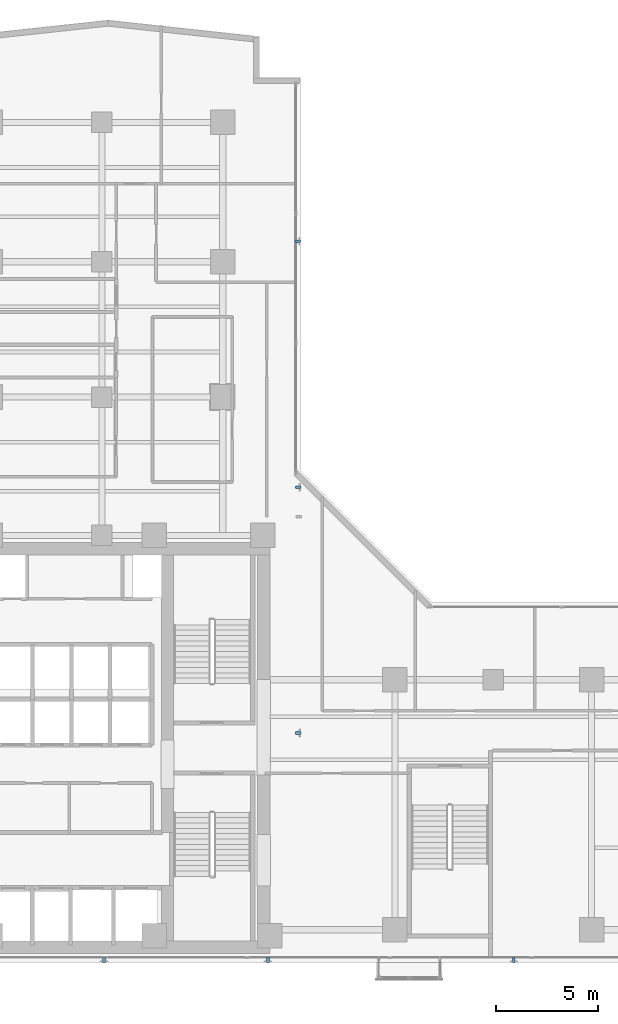
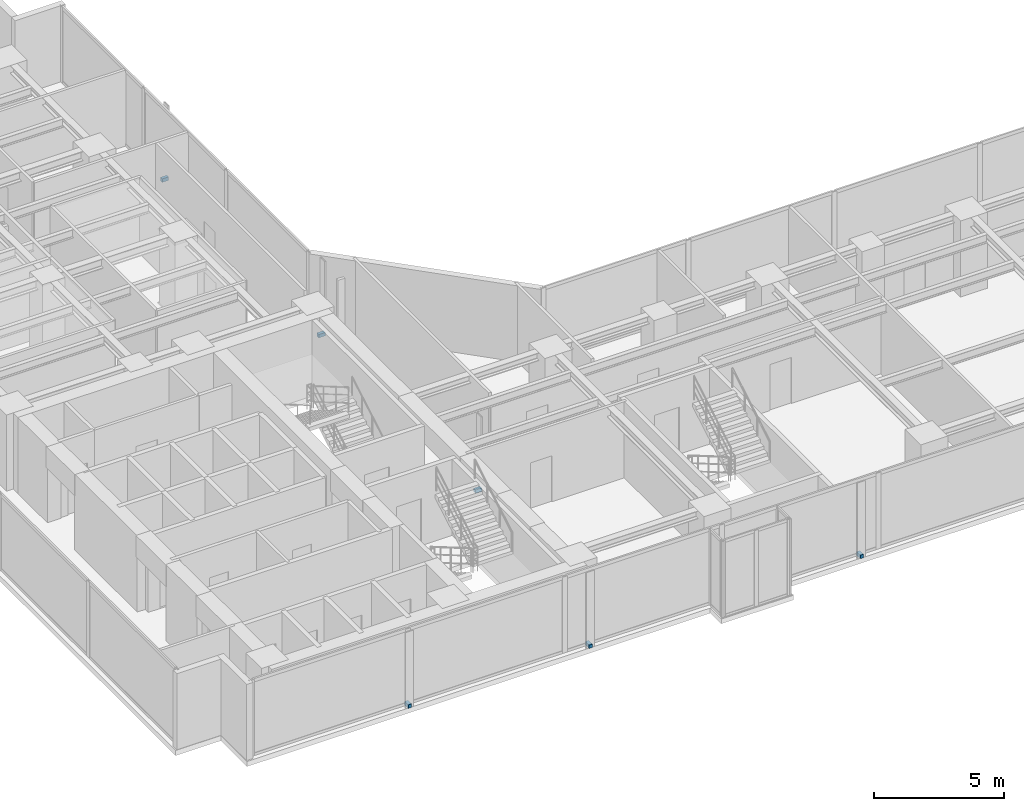
# One storey, part 22 of 24: 6 discrete accessories.
"""IFC4 building model written with IfcOpenShell, lengths in metres."""

from ifc_helpers import new_model, si_unit, direction, frame, origin, origin_with_axes, origin_2d, place, context, subcontext, project, spatial, rectangle, extrude, source, transform, mapped, material, type_object, element, save


model = new_model("IFC4")

# Units and contexts
model_context = context("Model", 3, precision=1e-05, world=origin(), true_north=direction((0.0, 1.0)))
body_context = subcontext(model_context, "Body", "Model", "MODEL_VIEW")
ifc_project = project(units=[si_unit("LENGTHUNIT", "METRE"), si_unit("AREAUNIT", "SQUARE_METRE"), si_unit("VOLUMEUNIT", "CUBIC_METRE"), si_unit("PLANEANGLEUNIT", "RADIAN"), si_unit("MASSUNIT", "GRAM", prefix="KILO")], contexts=[model_context])

# Site, building, storey
site_placement = place(None, origin())
site = spatial("IfcSite", under=ifc_project, at=site_placement, CompositionType="ELEMENT")
building_placement = place(site_placement, origin())
building = spatial("IfcBuilding", under=site, at=building_placement, Name="Kolvaren Waterfront Exchange", CompositionType="ELEMENT")
storey_placement = place(building_placement, frame((0.0, 0.0, 153.800048828125)))
storey = spatial("IfcBuildingStorey", under=building, at=storey_placement, Name="L39", CompositionType="ELEMENT", Elevation=153.800048828125)

# Discrete accessories
ifc_material = material(Name="Stainless steel 316", Category="steel")
discrete_accessory_type = type_object("IfcDiscreteAccessoryType", Name="ARC-BRK-FIN", PredefinedType="BRACKET", material=ifc_material)
shared_shape = source(origin_with_axes(), body_context, "Body", "SweptSolid", [
    extrude(rectangle(XDim=0.280029296875, YDim=0.139892578125, at=origin_2d()), origin(), (0.0, 0.0, 1.0), 0.159912109375),
])
for number, where, z_axis, x_axis, name in (
    (1, (13.0, 3.719970703125, 0.0), (0.0, 0.0, 1.0), (0.0, -1.0, 0.0), "L39 bronze fin anchor bracket FIN-L39-S1"),
    (2, (21.0, 3.719970703125, 0.0), (0.0, 0.0, 1.0), (0.0, -1.0, 0.0), "L39 bronze fin anchor bracket FIN-L39-S2"),
    (3, (33.0, 3.719970703125, 0.0), (0.0, 0.0, 1.0), (0.0, -1.0, 0.0), "L39 bronze fin anchor bracket FIN-L39-S3"),
    (4, (22.47998046875, 14.800048828125, 0.0), (0.0, 0.0, 1.0), (1.0, 0.0, 0.0), "L39 bronze fin anchor bracket FIN-L39-E1"),
    (5, (22.47998046875, 26.800048828125, 0.0), (0.0, 0.0, 1.0), (1.0, 0.0, 0.0), "L39 bronze fin anchor bracket FIN-L39-E2"),
    (6, (22.47998046875, 38.800048828125, 0.0), (0.0, 0.0, 1.0), (1.0, 0.0, 0.0), "L39 bronze fin anchor bracket FIN-L39-E3"),
):
    element("IfcDiscreteAccessory", number, at=place(storey_placement, frame(where, z_axis=z_axis, x_axis=x_axis)), inside=storey, type_object=discrete_accessory_type, Name=name, PredefinedType="BRACKET", context=body_context, shape_type="MappedRepresentation", body=[
        mapped(shared_shape, transform((0.0, 0.0, 0.0), x_axis=(1.0, 0.0, 0.0), y_axis=(0.0, 1.0, 0.0), z_axis=(0.0, 0.0, 1.0), scale=1.0)),
    ])

save(model, "model.ifc")
